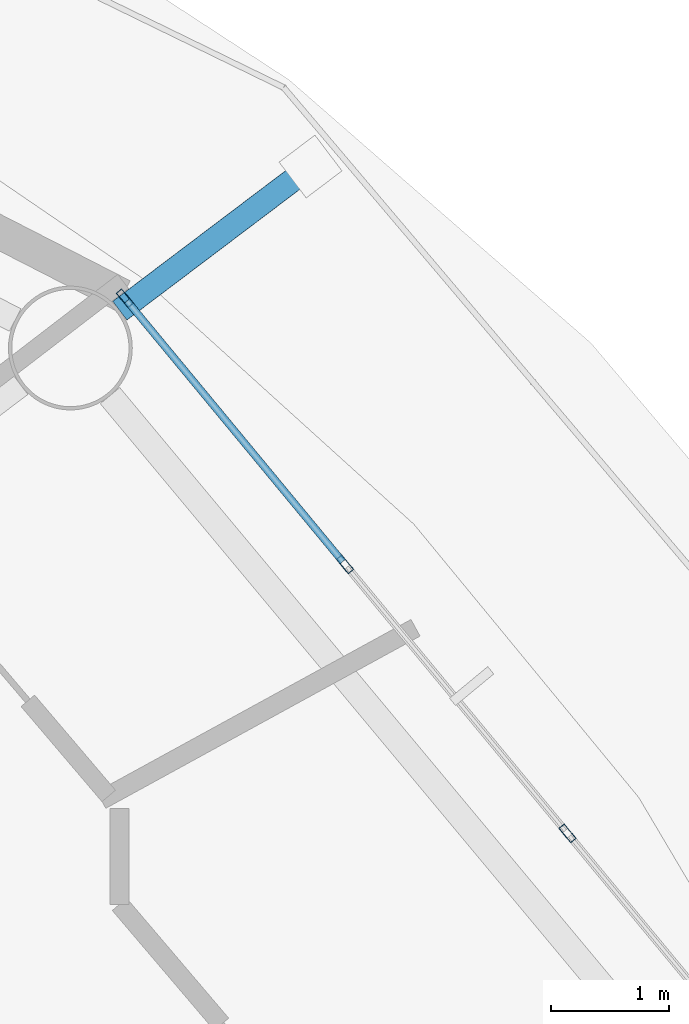
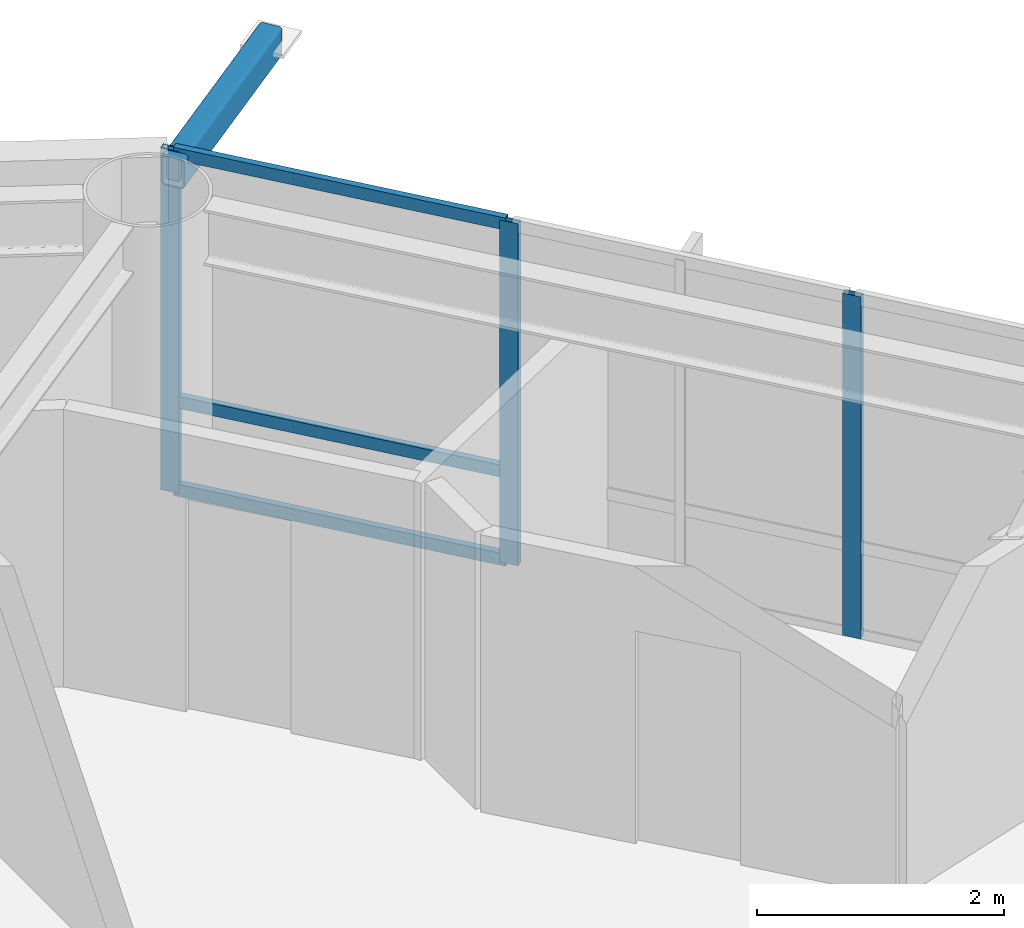
# One storey, part 15 of 29: 7 members, 1 element without a shape of its own.
"""IFC4 building model written with IfcOpenShell, lengths in metres."""

from ifc_helpers import new_model, si_unit, direction, frame, origin, origin_2d, place, context, subcontext, project, spatial, hollow_rectangle, extrude, material, layer, layer_set, material_profile, profile_set, type_object, element, aggregate, save


model = new_model("IFC4")

# Units and contexts
model_context = context("Model", 3, precision=1e-05, world=origin(), true_north=direction((0.0, 1.0)))
body_context = subcontext(model_context, "Body", "Model", "MODEL_VIEW")
ifc_project = project(units=[si_unit("LENGTHUNIT", "METRE"), si_unit("AREAUNIT", "SQUARE_METRE"), si_unit("VOLUMEUNIT", "CUBIC_METRE"), si_unit("PLANEANGLEUNIT", "RADIAN"), si_unit("MASSUNIT", "GRAM", prefix="KILO")], contexts=[model_context])

# Site, building, storey
site_placement = place(None, origin())
site = spatial("IfcSite", under=ifc_project, at=site_placement, CompositionType="ELEMENT")
building_placement = place(site_placement, origin())
building = spatial("IfcBuilding", under=site, at=building_placement, Name="Sarneth Arch Tower", CompositionType="ELEMENT")
storey_placement = place(building_placement, frame((0.0, 0.0, 175.800048828125)))
storey = spatial("IfcBuildingStorey", under=building, at=storey_placement, Name="L44", CompositionType="ELEMENT", Elevation=175.800048828125)

# Curtain wall, members
ifc_material_1 = material(Name="Anodised aluminium Type AA25 and solar-control low-e laminated IGU", Category="aluminium")
ifc_layer = layer(ifc_material_1, 0.169921875)
ifc_layer_set = layer_set([ifc_layer], Name="Anodised aluminium Type AA25 and solar-control low-e laminated IGU")
curtain_wall_type = type_object("IfcCurtainWallType", Name="CW-RES-MID", PredefinedType="NOTDEFINED", material=ifc_layer_set)
curtain_wall_placement = place(storey_placement, origin())
curtain_wall = element("IfcCurtainWall", 1, at=curtain_wall_placement, inside=storey, type_object=curtain_wall_type, Name="L44 Unitised curtain wall facet 02", PredefinedType="NOTDEFINED")
ifc_material_2 = material(Name="Anodised Aluminium 6063-T6", Category="aluminium")
ifc_material_profile_1 = material_profile(ifc_material_2, hollow_rectangle(XDim=0.06005859375, YDim=0.159912109375, WallThickness=0.00390625, at=origin_2d()), Name="AL-MULL-160x60x4")
ifc_profile_set_1 = profile_set([ifc_material_profile_1], Name="Anodised Aluminium 6063-T6")
member_type_1 = type_object("IfcMemberType", Name="CW-MULLION", PredefinedType="MULLION", material=ifc_profile_set_1)
member_1_placement = place(storey_placement, frame((71.346923828125, 52.3466796875, 0.0), z_axis=(0.0, 0.0, 1.0), x_axis=(-0.770590741276, -0.637330298558, 0.0)))
member_1 = element("IfcMember", 2, at=member_1_placement, type_object=member_type_1, Name="CW-SYS-5 mullion 2", PredefinedType="MULLION", context=body_context, shape_type="SweptSolid", body=[
    extrude(hollow_rectangle(XDim=0.06005859375, YDim=0.159912109375, WallThickness=0.00390625, at=origin_2d()), origin(), (0.0, 0.0, 1.0), 3.3798828125),
])
member_2_placement = place(storey_placement, frame((69.46142578125, 54.626220703125, 0.0), z_axis=(0.0, 0.0, 1.0), x_axis=(-0.770590741276, -0.637330298558, 0.0)))
member_2 = element("IfcMember", 3, at=member_2_placement, type_object=member_type_1, Name="CW-SYS-5 mullion 3", PredefinedType="MULLION", context=body_context, shape_type="SweptSolid", body=[
    extrude(hollow_rectangle(XDim=0.06005859375, YDim=0.159912109375, WallThickness=0.00390625, at=origin_2d()), origin(), (0.0, 0.0, 1.0), 3.3798828125),
])
member_3_placement = place(storey_placement, frame((67.59521484375, 56.8828125, 0.0), z_axis=(0.0, 0.0, 1.0), x_axis=(-0.770590741276, -0.637330298558, 0.0)))
member_3 = element("IfcMember", 4, at=member_3_placement, type_object=member_type_1, Name="CW-SYS-5 mullion 4", PredefinedType="MULLION", context=body_context, shape_type="SweptSolid", body=[
    extrude(hollow_rectangle(XDim=0.06005859375, YDim=0.159912109375, WallThickness=0.00390625, at=origin_2d()), origin(), (0.0, 0.0, 1.0), 3.3798828125),
])
ifc_material_3 = material(Name="Anodised Aluminium 6063-T6", Category="aluminium")
ifc_material_profile_2 = material_profile(ifc_material_3, hollow_rectangle(XDim=0.06005859375, YDim=0.1201171875, WallThickness=0.00390625, at=origin_2d()), Name="AL-TRAN-120x60x4")
ifc_profile_set_2 = profile_set([ifc_material_profile_2], Name="Anodised Aluminium 6063-T6")
member_type_2 = type_object("IfcMemberType", Name="CW-TRANSOM", PredefinedType="USERDEFINED", material=ifc_profile_set_2)
member_4_placement = place(storey_placement, frame((69.4423828125, 54.6494140625, 0.030029296875), z_axis=(-0.637358651504, 0.770567290607, 0.0), x_axis=(-0.770567290607, -0.637358651504, 0.0)))
member_4 = element("IfcMember", 5, at=member_4_placement, type_object=member_type_2, Name="CW-SYS-5 transom 3.1", ObjectType="TRANSOM", PredefinedType="USERDEFINED", context=body_context, shape_type="SweptSolid", body=[
    extrude(hollow_rectangle(XDim=0.06005859375, YDim=0.1201171875, WallThickness=0.00390625, at=origin_2d()), origin(), (0.0, 0.0, 1.0), 2.8681640625),
])
member_5_placement = place(storey_placement, frame((69.4423828125, 54.6494140625, 0.89990234375), z_axis=(-0.637358651504, 0.770567290607, 0.0), x_axis=(-0.770567290607, -0.637358651504, 0.0)))
member_5 = element("IfcMember", 6, at=member_5_placement, type_object=member_type_2, Name="CW-SYS-5 transom 3.2", ObjectType="TRANSOM", PredefinedType="USERDEFINED", context=body_context, shape_type="SweptSolid", body=[
    extrude(hollow_rectangle(XDim=0.06005859375, YDim=0.1201171875, WallThickness=0.00390625, at=origin_2d()), origin(), (0.0, 0.0, 1.0), 2.8681640625),
])
member_6_placement = place(storey_placement, frame((69.4423828125, 54.6494140625, 3.349853515625), z_axis=(-0.637358651504, 0.770567290607, 0.0), x_axis=(-0.770567290607, -0.637358651504, 0.0)))
member_6 = element("IfcMember", 7, at=member_6_placement, type_object=member_type_2, Name="CW-SYS-5 transom 3.3", ObjectType="TRANSOM", PredefinedType="USERDEFINED", context=body_context, shape_type="SweptSolid", body=[
    extrude(hollow_rectangle(XDim=0.06005859375, YDim=0.1201171875, WallThickness=0.00390625, at=origin_2d()), origin(), (0.0, 0.0, 1.0), 2.8681640625),
])
aggregate(curtain_wall, [member_1, member_2, member_3, member_4, member_5, member_6])

# Member
ifc_material_4 = material(Name="Steel S355", Category="steel")
ifc_material_profile_3 = material_profile(ifc_material_4, hollow_rectangle(XDim=0.199951171875, YDim=0.300048828125, WallThickness=0.012451171875, InnerFilletRadius=0.018798828125, OuterFilletRadius=0.03125, at=origin_2d()), Name="RHS300x200x12.5")
ifc_profile_set_3 = profile_set([ifc_material_profile_3], Name="Steel S355")
member_type_3 = type_object("IfcMemberType", Name="MEM-CANT-STRUT", PredefinedType="STRUT", material=ifc_profile_set_3)
member_7_placement = place(storey_placement, frame((67.552734375, 56.77685546875, 3.219970703125), z_axis=(0.797811956299, 0.602906362868, 0.0), x_axis=(-0.602906362868, 0.797811956299, 0.0)))
element("IfcMember", 8, at=member_7_placement, inside=storey, type_object=member_type_3, Name="L44 Balcony cantilever bracket 03", PredefinedType="STRUT", context=body_context, shape_type="SweptSolid", body=[
    extrude(hollow_rectangle(XDim=0.199951171875, YDim=0.300048828125, WallThickness=0.012451171875, InnerFilletRadius=0.018798828125, OuterFilletRadius=0.03125, at=origin_2d()), origin(), (0.0, 0.0, 1.0), 2.026611328125),
])

save(model, "model.ifc")
